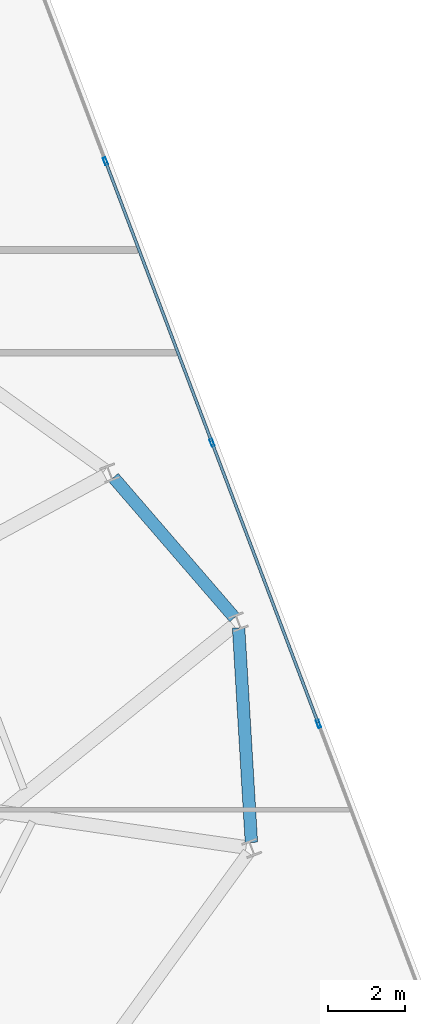
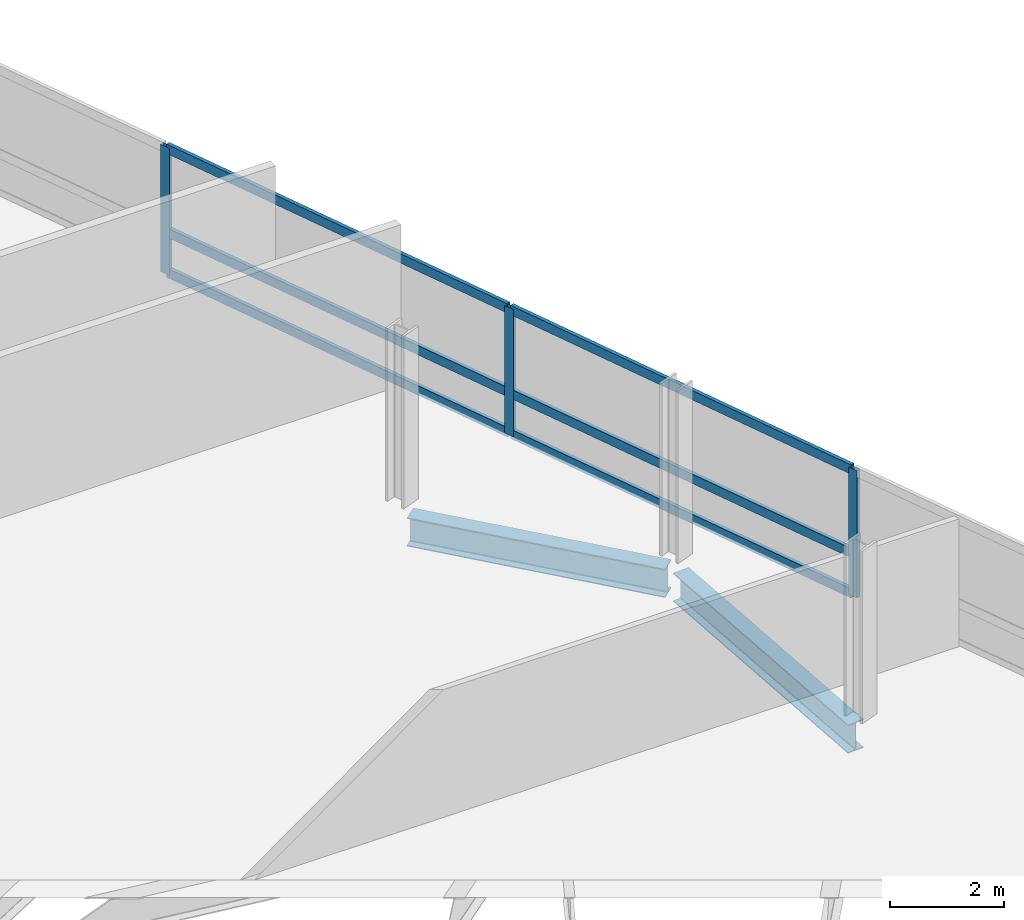
# One storey, part 12 of 19: 9 members, 2 beams, 1 element without a shape of its own.
"""IFC4 building model written with IfcOpenShell, lengths in metres."""

from ifc_helpers import new_model, si_unit, direction, frame, origin, origin_2d, place, context, subcontext, project, spatial, hollow_rectangle, i_section, extrude, material, layer, layer_set, material_profile, profile_set, type_object, element, aggregate, save


model = new_model("IFC4")

# Units and contexts
model_context = context("Model", 3, precision=1e-05, world=origin(), true_north=direction((0.0, 1.0)))
body_context = subcontext(model_context, "Body", "Model", "MODEL_VIEW")
ifc_project = project(units=[si_unit("LENGTHUNIT", "METRE"), si_unit("AREAUNIT", "SQUARE_METRE"), si_unit("VOLUMEUNIT", "CUBIC_METRE"), si_unit("PLANEANGLEUNIT", "RADIAN"), si_unit("MASSUNIT", "GRAM", prefix="KILO")], contexts=[model_context])

# Site, building, storey
site_placement = place(None, origin())
site = spatial("IfcSite", under=ifc_project, at=site_placement, CompositionType="ELEMENT")
building_placement = place(site_placement, origin())
building = spatial("IfcBuilding", under=site, at=building_placement, Name="Varnelok Gate Tower", CompositionType="ELEMENT")
storey_placement = place(building_placement, frame((0.0, 0.0, 246.0)))
storey = spatial("IfcBuildingStorey", under=building, at=storey_placement, Name="L63", CompositionType="ELEMENT", Elevation=246.0)

# Beams
ifc_material_1 = material(Name="Structural Steel ASTM A992 Grade 50", Category="steel")
ifc_material_profile_1 = material_profile(ifc_material_1, i_section(OverallWidth=0.323974609375, OverallDepth=0.611083984375, WebThickness=0.0126953125, FlangeThickness=0.01904296875, FilletRadius=0.01806640625, at=origin_2d()), Name="W24X104")
ifc_profile_set_1 = profile_set([ifc_material_profile_1], Name="Structural Steel ASTM A992 Grade 50")
beam_type = type_object("IfcBeamType", Name="BM-SPN-W24X104", PredefinedType="SPANDREL", material=ifc_profile_set_1)
beam_1_placement = place(storey_placement, frame((71.046142578125, 26.60302734375, -0.555419921875), z_axis=(-0.059494461707, 0.998228635647, 0.0), x_axis=(-0.998228635647, -0.059494461707, 0.0)))
element("IfcBeam", 1, at=beam_1_placement, inside=storey, type_object=beam_type, Name="L63 Perimeter Spandrel Beam 6", PredefinedType="SPANDREL", context=body_context, shape_type="SweptSolid", body=[
    extrude(i_section(OverallWidth=0.323974609375, OverallDepth=0.611083984375, WebThickness=0.0126953125, FlangeThickness=0.01904296875, FilletRadius=0.01806640625, at=origin_2d()), origin(), (0.0, 0.0, 1.0), 5.57666015625),
])
beam_2_placement = place(storey_placement, frame((70.607421875, 32.43310546875, -0.555419921875), z_axis=(-0.653480804386, 0.756943087886, 0.0), x_axis=(-0.756943087886, -0.653480804386, 0.0)))
element("IfcBeam", 2, at=beam_2_placement, inside=storey, type_object=beam_type, Name="L63 Perimeter Spandrel Beam 7", PredefinedType="SPANDREL", context=body_context, shape_type="SweptSolid", body=[
    extrude(i_section(OverallWidth=0.323974609375, OverallDepth=0.611083984375, WebThickness=0.0126953125, FlangeThickness=0.01904296875, FilletRadius=0.01806640625, at=origin_2d()), origin(), (0.0, 0.0, 1.0), 4.799560546875),
])

# Curtain wall, members
ifc_material_2 = material(Name="Anodized Aluminum Alloy 6063-T6", Category="aluminium")
ifc_layer = layer(ifc_material_2, 0.179931640625)
ifc_layer_set = layer_set([ifc_layer], Name="Anodized Aluminum Alloy 6063-T6")
curtain_wall_type = type_object("IfcCurtainWallType", Name="CW4-RESIDENCE-VISION", PredefinedType="USERDEFINED", material=ifc_layer_set)
curtain_wall_placement = place(storey_placement, origin())
curtain_wall = element("IfcCurtainWall", 3, at=curtain_wall_placement, inside=storey, type_object=curtain_wall_type, Name="L63 East End Vision Curtain Wall", ObjectType="UNITISED CURTAIN WALL", PredefinedType="USERDEFINED")
ifc_material_profile_2 = material_profile(ifc_material_2, hollow_rectangle(XDim=0.074951171875, YDim=0.199951171875, WallThickness=0.00390625, at=origin_2d()), Name="ALU200X75X4")
ifc_profile_set_2 = profile_set([ifc_material_profile_2], Name="Anodized Aluminum Alloy 6063-T6")
member_type_1 = type_object("IfcMemberType", Name="CW-MULL-200", PredefinedType="MULLION", material=ifc_profile_set_2)
member_1_placement = place(storey_placement, frame((67.26318359375, 44.2646484375, 0.0), z_axis=(0.0, 0.0, 1.0), x_axis=(0.935221557832, 0.354063042079, 0.0)))
member_1 = element("IfcMember", 4, at=member_1_placement, type_object=member_type_1, Name="CW4 mullion 2", PredefinedType="MULLION", context=body_context, shape_type="SweptSolid", body=[
    extrude(hollow_rectangle(XDim=0.074951171875, YDim=0.199951171875, WallThickness=0.00390625, at=origin_2d()), origin(), (0.0, 0.0, 1.0), 2.72998046875),
])
member_2_placement = place(storey_placement, frame((70.02490234375, 36.969970703125, 0.0), z_axis=(0.0, 0.0, 1.0), x_axis=(0.935221557832, 0.354063042079, 0.0)))
member_2 = element("IfcMember", 5, at=member_2_placement, type_object=member_type_1, Name="CW4 mullion 3", PredefinedType="MULLION", context=body_context, shape_type="SweptSolid", body=[
    extrude(hollow_rectangle(XDim=0.074951171875, YDim=0.199951171875, WallThickness=0.00390625, at=origin_2d()), origin(), (0.0, 0.0, 1.0), 2.72998046875),
])
member_3_placement = place(storey_placement, frame((72.78662109375, 29.675048828125, 0.0), z_axis=(0.0, 0.0, 1.0), x_axis=(0.935221557832, 0.354063042079, 0.0)))
member_3 = element("IfcMember", 6, at=member_3_placement, type_object=member_type_1, Name="CW4 mullion 4", PredefinedType="MULLION", context=body_context, shape_type="SweptSolid", body=[
    extrude(hollow_rectangle(XDim=0.074951171875, YDim=0.199951171875, WallThickness=0.00390625, at=origin_2d()), origin(), (0.0, 0.0, 1.0), 2.72998046875),
])
ifc_material_profile_3 = material_profile(ifc_material_2, hollow_rectangle(XDim=0.074951171875, YDim=0.199951171875, WallThickness=0.00390625, at=origin_2d()), Name="ALU200X75X4")
ifc_profile_set_3 = profile_set([ifc_material_profile_3], Name="Anodized Aluminum Alloy 6063-T6")
member_type_2 = type_object("IfcMemberType", Name="CW-TRAN-200", PredefinedType="USERDEFINED", material=ifc_profile_set_3)
member_4_placement = place(storey_placement, frame((67.2763671875, 44.2294921875, 0.03759765625), z_axis=(0.354086355793, -0.935212731223, 0.0), x_axis=(0.935212731223, 0.354086355793, 0.0)))
member_4 = element("IfcMember", 7, at=member_4_placement, type_object=member_type_2, Name="CW4 transom 2.1", ObjectType="TRANSOM", PredefinedType="USERDEFINED", context=body_context, shape_type="SweptSolid", body=[
    extrude(hollow_rectangle(XDim=0.074951171875, YDim=0.199951171875, WallThickness=0.00390625, at=origin_2d()), origin(), (0.0, 0.0, 1.0), 7.72509765625),
])
member_5_placement = place(storey_placement, frame((67.2763671875, 44.2294921875, 0.89990234375), z_axis=(0.354086355793, -0.935212731223, 0.0), x_axis=(0.935212731223, 0.354086355793, 0.0)))
member_5 = element("IfcMember", 8, at=member_5_placement, type_object=member_type_2, Name="CW4 transom 2.2", ObjectType="TRANSOM", PredefinedType="USERDEFINED", context=body_context, shape_type="SweptSolid", body=[
    extrude(hollow_rectangle(XDim=0.074951171875, YDim=0.199951171875, WallThickness=0.00390625, at=origin_2d()), origin(), (0.0, 0.0, 1.0), 7.72509765625),
])
member_6_placement = place(storey_placement, frame((67.2763671875, 44.2294921875, 2.6923828125), z_axis=(0.354086355793, -0.935212731223, 0.0), x_axis=(0.935212731223, 0.354086355793, 0.0)))
member_6 = element("IfcMember", 9, at=member_6_placement, type_object=member_type_2, Name="CW4 transom 2.3", ObjectType="TRANSOM", PredefinedType="USERDEFINED", context=body_context, shape_type="SweptSolid", body=[
    extrude(hollow_rectangle(XDim=0.074951171875, YDim=0.199951171875, WallThickness=0.00390625, at=origin_2d()), origin(), (0.0, 0.0, 1.0), 7.72509765625),
])
member_7_placement = place(storey_placement, frame((70.0380859375, 36.934814453125, 0.03759765625), z_axis=(0.354086355793, -0.935212731223, 0.0), x_axis=(0.935212731223, 0.354086355793, 0.0)))
member_7 = element("IfcMember", 10, at=member_7_placement, type_object=member_type_2, Name="CW4 transom 3.1", ObjectType="TRANSOM", PredefinedType="USERDEFINED", context=body_context, shape_type="SweptSolid", body=[
    extrude(hollow_rectangle(XDim=0.074951171875, YDim=0.199951171875, WallThickness=0.00390625, at=origin_2d()), origin(), (0.0, 0.0, 1.0), 7.72509765625),
])
member_8_placement = place(storey_placement, frame((70.0380859375, 36.934814453125, 0.89990234375), z_axis=(0.354086355793, -0.935212731223, 0.0), x_axis=(0.935212731223, 0.354086355793, 0.0)))
member_8 = element("IfcMember", 11, at=member_8_placement, type_object=member_type_2, Name="CW4 transom 3.2", ObjectType="TRANSOM", PredefinedType="USERDEFINED", context=body_context, shape_type="SweptSolid", body=[
    extrude(hollow_rectangle(XDim=0.074951171875, YDim=0.199951171875, WallThickness=0.00390625, at=origin_2d()), origin(), (0.0, 0.0, 1.0), 7.72509765625),
])
member_9_placement = place(storey_placement, frame((70.0380859375, 36.934814453125, 2.6923828125), z_axis=(0.354086355793, -0.935212731223, 0.0), x_axis=(0.935212731223, 0.354086355793, 0.0)))
member_9 = element("IfcMember", 12, at=member_9_placement, type_object=member_type_2, Name="CW4 transom 3.3", ObjectType="TRANSOM", PredefinedType="USERDEFINED", context=body_context, shape_type="SweptSolid", body=[
    extrude(hollow_rectangle(XDim=0.074951171875, YDim=0.199951171875, WallThickness=0.00390625, at=origin_2d()), origin(), (0.0, 0.0, 1.0), 7.72509765625),
])
aggregate(curtain_wall, [member_1, member_2, member_3, member_4, member_5, member_6, member_7, member_8, member_9])

save(model, "model.ifc")
